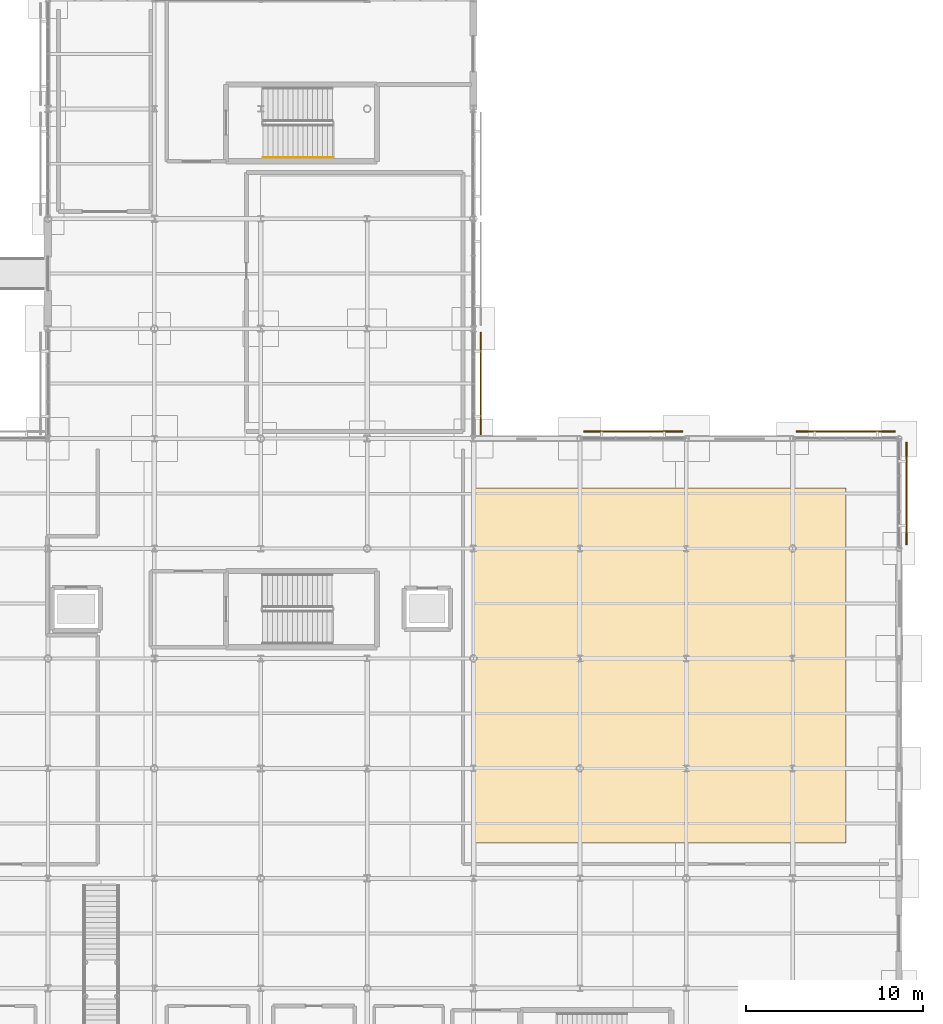
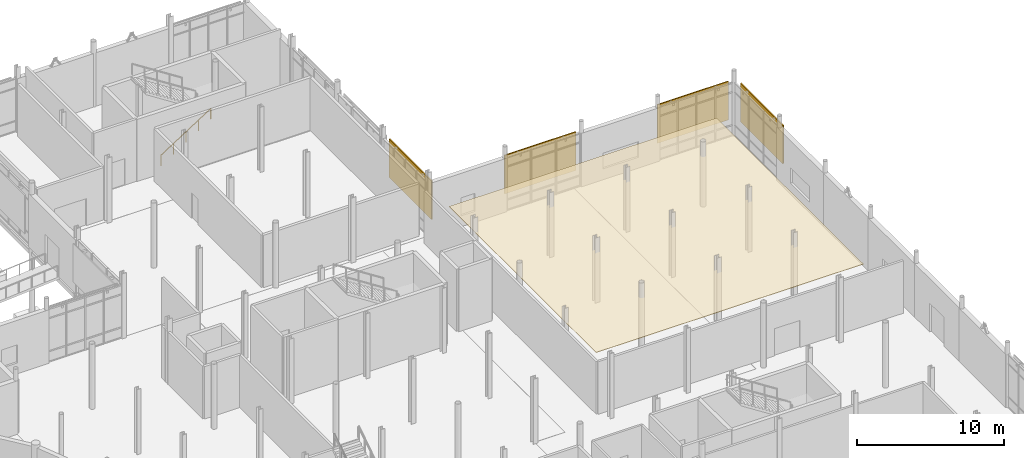
# One storey, part 96 of 98: 4 shading devices, 1 covering, 1 railing.
"""IFC4 building model written with IfcOpenShell, lengths in metres."""

from ifc_helpers import new_model, si_unit, direction, frame, origin, origin_2d, place, context, subcontext, project, spatial, polyline, rectangle, circle, outline, extrude, material, layer, layer_set, type_object, element, save


model = new_model("IFC4")

# Units and contexts
model_context = context("Model", 3, precision=1e-05, world=origin(), true_north=direction((0.0, 1.0)))
body_context = subcontext(model_context, "Body", "Model", "MODEL_VIEW")
ifc_project = project(units=[si_unit("LENGTHUNIT", "METRE"), si_unit("AREAUNIT", "SQUARE_METRE"), si_unit("VOLUMEUNIT", "CUBIC_METRE"), si_unit("PLANEANGLEUNIT", "RADIAN"), si_unit("MASSUNIT", "GRAM", prefix="KILO")], contexts=[model_context])

# Site, building, storey
site_placement = place(None, origin())
site = spatial("IfcSite", under=ifc_project, at=site_placement, CompositionType="ELEMENT")
building_placement = place(site_placement, origin())
building = spatial("IfcBuilding", under=site, at=building_placement, Name="Mirzam Square Science Centre", CompositionType="ELEMENT")
storey_placement = place(building_placement, origin())
storey = spatial("IfcBuildingStorey", under=building, at=storey_placement, Name="L00", CompositionType="ELEMENT", Elevation=0.0)

# Covering
ifc_material_1 = material(Name="Perforated Mineral-Wool Acoustic Ceiling", Category="gypsum")
ifc_layer_1 = layer(ifc_material_1, 0.0400390625)
ifc_layer_set_1 = layer_set([ifc_layer_1], Name="COV-ACOUST-CEIL")
covering_type = type_object("IfcCoveringType", Name="COV-ACOUST-CEIL", PredefinedType="CEILING", material=ifc_layer_set_1)
covering_placement = place(storey_placement, frame((0.0, 0.0, 4.110107421875)))
element("IfcCovering", 1, at=covering_placement, inside=storey, type_object=covering_type, Name="L00 acoustic ceiling 02", PredefinedType="CEILING", context=body_context, shape_type="SweptSolid", body=[
    extrude(outline(polyline([(138.0, 64.0), (159.0, 64.0), (159.0, 84.0), (138.0, 84.0), (138.0, 64.0)])), origin(), (0.0, 0.0, 1.0), 0.039794921875),
])

# Railing
ifc_material_2 = material(Name="Brushed Bronze Tubular Handrail", Category="aluminium")
railing_type = type_object("IfcRailingType", Name="RL-STAIR-HANDRAIL-900", PredefinedType="HANDRAIL", material=ifc_material_2)
railing_placement = place(storey_placement, frame((126.1298828125, 102.64990234375, 0.3720703125)))
element("IfcRailing", 2, at=railing_placement, inside=storey, type_object=railing_type, Name="L00 ST-11 stair handrail 1", PredefinedType="HANDRAIL", context=body_context, shape_type="SweptSolid", body=[
    extrude(circle(Radius=0.02392578125, at=origin_2d()), frame((0.0, 0.0, 0.8759765625), z_axis=(0.841186985886, 0.0, 0.540744352514), x_axis=(0.0, 1.0, 0.0)), (0.0, 0.0, 1.0), 4.660400390625),
    extrude(circle(Radius=0.02099609375, at=origin_2d()), origin(), (0.0, 0.0, 1.0), 0.851806640625),
    extrude(circle(Radius=0.02099609375, at=origin_2d()), frame((0.97998046875, 0.0, 0.6298828125)), (0.0, 0.0, 1.0), 0.851806640625),
    extrude(circle(Radius=0.02099609375, at=origin_2d()), frame((1.9599609375, 0.0, 1.260009765625)), (0.0, 0.0, 1.0), 0.851806640625),
    extrude(circle(Radius=0.02099609375, at=origin_2d()), frame((2.940185546875, 0.0, 1.89013671875)), (0.0, 0.0, 1.0), 0.851806640625),
    extrude(circle(Radius=0.02099609375, at=origin_2d()), frame((3.920166015625, 0.0, 2.52001953125)), (0.0, 0.0, 1.0), 0.851806640625),
])

# Shading devices
ifc_material_3 = material(Name="Perforated Bronze-Anodised Aluminium Brise-Soleil", Category="aluminium")
ifc_layer_2 = layer(ifc_material_3, 0.080078125)
ifc_layer_set_2 = layer_set([ifc_layer_2], Name="SHD-BRISE-BRONZE")
shading_device_type = type_object("IfcShadingDeviceType", Name="SHD-BRISE-BRONZE", PredefinedType="JALOUSIE", material=ifc_layer_set_2)
shading_device_1_placement = place(storey_placement, frame((162.409912109375, 83.699951171875, 1.08984375), z_axis=(0.0, 0.0, 1.0), x_axis=(0.0, 1.0, 0.0)))
element("IfcShadingDevice", 3, at=shading_device_1_placement, inside=storey, type_object=shading_device_type, Name="L00 bronze brise-soleil screen 58", PredefinedType="JALOUSIE", context=body_context, shape_type="SweptSolid", body=[
    extrude(rectangle(XDim=5.7900390625, YDim=0.080078125, at=origin_2d()), origin(), (0.0, 0.0, 1.0), 3.199951171875),
])
for number, where, z_axis, x_axis, name in (
    (4, (159.0, 87.2099609375, 1.08984375), (0.0, 0.0, 1.0), (-1.0, 0.0, 0.0), "L00 bronze brise-soleil screen 59"),
    (5, (147.0, 87.2099609375, 1.08984375), (0.0, 0.0, 1.0), (-1.0, 0.0, 0.0), "L00 bronze brise-soleil screen 60"),
):
    element("IfcShadingDevice", number, at=place(storey_placement, frame(where, z_axis=z_axis, x_axis=x_axis)), inside=storey, type_object=shading_device_type, Name=name, PredefinedType="JALOUSIE", context=body_context, shape_type="SweptSolid", body=[
        extrude(rectangle(XDim=5.590087890625, YDim=0.080078125, at=origin_2d()), origin(), (0.0, 0.0, 1.0), 3.199951171875),
    ])
shading_device_2_placement = place(storey_placement, frame((138.409912109375, 89.89990234375, 1.08984375), z_axis=(0.0, 0.0, 1.0), x_axis=(0.0, 1.0, 0.0)))
element("IfcShadingDevice", 6, at=shading_device_2_placement, inside=storey, type_object=shading_device_type, Name="L00 bronze brise-soleil screen 66", PredefinedType="JALOUSIE", context=body_context, shape_type="SweptSolid", body=[
    extrude(rectangle(XDim=5.7900390625, YDim=0.080078125, at=origin_2d()), origin(), (0.0, 0.0, 1.0), 3.199951171875),
])

save(model, "model.ifc")
